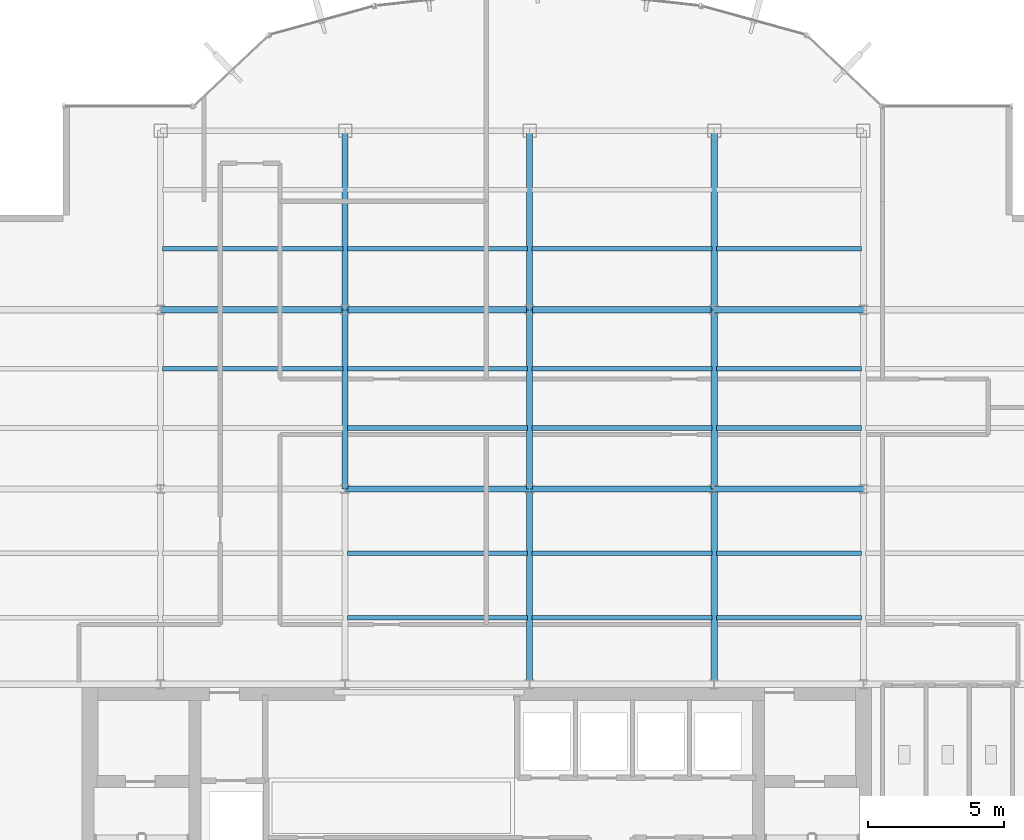
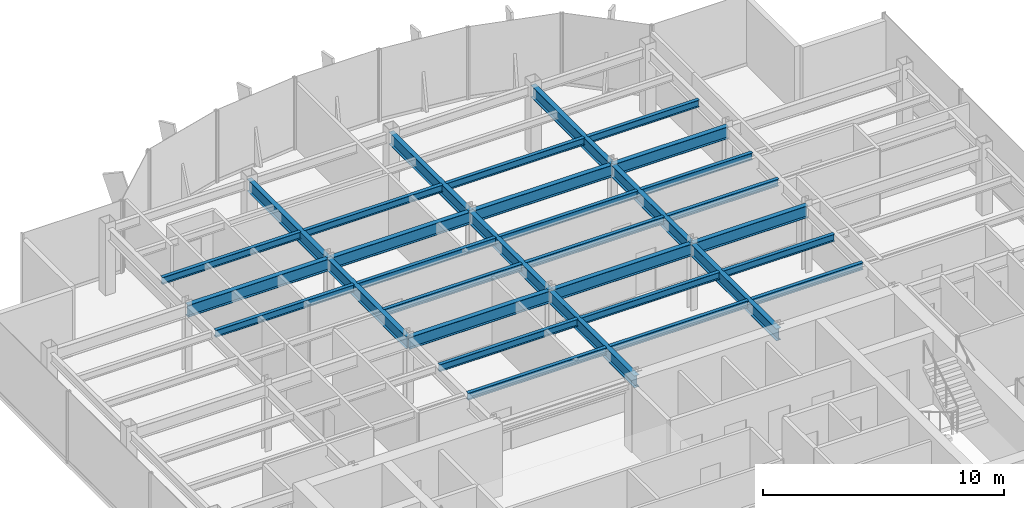
# One storey, part 8 of 22: 32 beams.
"""IFC4 building model written with IfcOpenShell, lengths in metres."""

import ifcopenshell
import ifcopenshell.guid

model = None  # the IFC model being written
_history = None  # IfcOwnerHistory: only IFC2X3 demands one
_inside = {}  # id of a spatial element -> (the spatial element, [elements in it])
_under = {}  # id of a project, library or spatial element -> (it, [spatial elements below it])
_declared = {}  # id of a project -> (the project, [libraries it declares])
_typed = {}  # id of a type object -> (the type object, [elements of that type])
_made_of = {}  # id of a material, layer set ... -> (it, [elements and type objects made of it])


def new_model(schema):
    """Start an empty IFC model of exactly this schema.

    Asked for "IFC4X3", IfcOpenShell would pick the latest addendum, in which some entities
    have other attributes; the version numbers below select the first issue.
    IFC2X3 requires an IfcOwnerHistory on every rooted entity: one is made here for all.
    """
    global model, _history
    if schema == "IFC4X3":
        model = ifcopenshell.file(schema_version=(4, 3, 0, 0))
    else:
        model = ifcopenshell.file(schema=schema)
    _inside.clear()
    _under.clear()
    _declared.clear()
    _typed.clear()
    _made_of.clear()
    _history = None
    if model.schema == "IFC2X3":
        org = make("IfcOrganization", Name="unknown")
        user = make(
            "IfcPersonAndOrganization",
            ThePerson=make("IfcPerson", FamilyName="unknown"),
            TheOrganization=org,
        )
        app = make(
            "IfcApplication",
            ApplicationDeveloper=org,
            Version="unknown",
            ApplicationFullName="unknown",
            ApplicationIdentifier="unknown",
        )
        _history = make(
            "IfcOwnerHistory",
            OwningUser=user,
            OwningApplication=app,
            ChangeAction="ADDED",
            CreationDate=0,
        )
    return model


def make(cls, **values):
    """One entity of the class cls with the attributes given. An attribute that is None is left unset."""
    return model.create_entity(
        cls, **{name: value for name, value in values.items() if value is not None}
    )


def rooted(cls, **values):
    """An entity with a GlobalId (a new one), such as an element, a storey or a relation."""
    return make(cls, GlobalId=ifcopenshell.guid.new(), OwnerHistory=_history, **values)


def si_unit(unit_type, name, prefix=None):
    """IfcSIUnit, for example si_unit("LENGTHUNIT", "METRE", prefix="MILLI")."""
    return make("IfcSIUnit", UnitType=unit_type, Prefix=prefix, Name=name)


def derived_unit(unit_type, elements):
    """IfcDerivedUnit: a product of units, each with its exponent."""
    return make(
        "IfcDerivedUnit",
        Elements=[
            make("IfcDerivedUnitElement", Unit=unit, Exponent=power)
            for unit, power in elements
        ],
        UnitType=unit_type,
    )


def assignment(units):
    """IfcUnitAssignment: the units of a project."""
    return None if units is None else make("IfcUnitAssignment", Units=units)


def point(xyz):
    """IfcCartesianPoint."""
    return None if xyz is None else make("IfcCartesianPoint", Coordinates=xyz)


def direction(xyz):
    """IfcDirection."""
    return None if xyz is None else make("IfcDirection", DirectionRatios=xyz)


def frame(location, z_axis=None, x_axis=None):
    """IfcAxis2Placement3D, a coordinate frame: its origin and axes. An axis left out is left unset."""
    return make(
        "IfcAxis2Placement3D",
        Location=point(location),
        Axis=direction(z_axis),
        RefDirection=direction(x_axis),
    )


def frame_2d(location, x_axis=None):
    """IfcAxis2Placement2D, a coordinate frame in the plane: its origin and x axis."""
    return make(
        "IfcAxis2Placement2D", Location=point(location), RefDirection=direction(x_axis)
    )


def origin():
    """The frame at (0, 0, 0) with its axes left unset."""
    return frame((0.0, 0.0, 0.0))


def origin_2d():
    """The frame at (0, 0) in the plane with its x axis left unset."""
    return frame_2d((0.0, 0.0))


def place(relative_to, where):
    """IfcLocalPlacement: puts the frame where relative to a parent placement (None: the world)."""
    return make(
        "IfcLocalPlacement", PlacementRelTo=relative_to, RelativePlacement=where
    )


def context(
    kind, dimensions, precision=None, world=None, true_north=None, identifier=None
):
    """IfcGeometricRepresentationContext, for example the 3D "Model" context."""
    return make(
        "IfcGeometricRepresentationContext",
        ContextIdentifier=identifier,
        ContextType=kind,
        CoordinateSpaceDimension=dimensions,
        Precision=precision,
        WorldCoordinateSystem=world,
        TrueNorth=true_north,
    )


def subcontext(parent, identifier, kind, view, scale=None):
    """IfcGeometricRepresentationSubContext, for example "Body" below "Model"."""
    return make(
        "IfcGeometricRepresentationSubContext",
        ContextIdentifier=identifier,
        ContextType=kind,
        ParentContext=parent,
        TargetScale=scale,
        TargetView=view,
    )


def project(units=None, contexts=None):
    """IfcProject with its units and contexts."""
    return rooted(
        "IfcProject",
        Name="project",
        RepresentationContexts=contexts,
        UnitsInContext=assignment(units),
    )


def spatial(cls, under=None, at=None, **own):
    """A site, building, storey or space (cls), placed at a placement, below another one or the project."""
    s = rooted(cls, ObjectPlacement=at, **own)
    if under is not None:
        _under.setdefault(under.id(), (under, []))[1].append(s)
    return s


def profile(cls, at=None, kind="AREA", **sizes):
    """A parametric profile (cls). Its sizes go by their IFC names, for example OverallWidth=200.0."""
    return make(cls, ProfileType=kind, Position=at, **sizes)


def i_section(**sizes):
    """IfcIShapeProfileDef."""
    return profile("IfcIShapeProfileDef", **sizes)


def extrude(swept, where, along, depth):
    """IfcExtrudedAreaSolid: the profile swept, set in the frame where, extruded along a direction by depth."""
    return make(
        "IfcExtrudedAreaSolid",
        SweptArea=swept,
        Position=where,
        ExtrudedDirection=direction(along),
        Depth=depth,
    )


def shape(context_of_items, identifier, shape_type, items):
    """IfcShapeRepresentation: the items that make up one representation, for example the "Body"."""
    return make(
        "IfcShapeRepresentation",
        ContextOfItems=context_of_items,
        RepresentationIdentifier=identifier,
        RepresentationType=shape_type,
        Items=items,
    )


def source(mapping_origin, context_of_items, identifier, shape_type, items):
    """IfcRepresentationMap: a shape defined once, which mapped items show again and again."""
    return make(
        "IfcRepresentationMap",
        MappingOrigin=mapping_origin,
        MappedRepresentation=shape(context_of_items, identifier, shape_type, items),
    )


def transform(
    local_origin,
    x_axis=None,
    y_axis=None,
    z_axis=None,
    scale=None,
    scale2=None,
    scale3=None,
    uniform=True,
):
    """IfcCartesianTransformationOperator3D, or its non-uniform kind. x_axis, y_axis, z_axis: its Axis1, 2, 3."""
    if uniform:
        return make(
            "IfcCartesianTransformationOperator3D",
            Axis1=direction(x_axis),
            Axis2=direction(y_axis),
            LocalOrigin=point(local_origin),
            Scale=scale,
            Axis3=direction(z_axis),
        )
    return make(
        "IfcCartesianTransformationOperator3DnonUniform",
        Axis1=direction(x_axis),
        Axis2=direction(y_axis),
        LocalOrigin=point(local_origin),
        Scale=scale,
        Axis3=direction(z_axis),
        Scale2=scale2,
        Scale3=scale3,
    )


def mapped(mapping_source, mapping_target):
    """IfcMappedItem: shows the shape of a source again, moved by a transform."""
    return make(
        "IfcMappedItem", MappingSource=mapping_source, MappingTarget=mapping_target
    )


def material(Name=None, Category=None):
    """IfcMaterial."""
    return make("IfcMaterial", Name=Name, Category=Category)


def material_profile(
    of_material, cross_section, Name=None, Category=None, Priority=None
):
    """IfcMaterialProfile: a cross section and its material."""
    return make(
        "IfcMaterialProfile",
        Name=Name,
        Material=of_material,
        Profile=cross_section,
        Priority=Priority,
        Category=Category,
    )


def profile_set(profiles, Name=None, composite=None):
    """IfcMaterialProfileSet."""
    return make(
        "IfcMaterialProfileSet",
        Name=Name,
        MaterialProfiles=profiles,
        CompositeProfile=composite,
    )


def made_of(thing, what):
    """Note that an element or type object is made of a material, layer set ...; save() writes the relation."""
    if what is not None:
        _made_of.setdefault(what.id(), (what, []))[1].append(thing)
    return thing


def type_object(cls, material=None, **own):
    """A type object (cls), such as IfcWallType, which elements share."""
    return made_of(rooted(cls, **own), material)


def element(
    cls,
    number,
    at=None,
    inside=None,
    cuts=None,
    type_object=None,
    material=None,
    context=None,
    identifier="Body",
    shape_type=None,
    held_by="IfcProductDefinitionShape",
    body=None,
    shapes=None,
    **own,
):
    """One element of the class cls, such as IfcWall. Its Tag is "e" and its number.

    at: its placement. inside: the storey or other place that contains it. cuts: it is an
    opening in that element (IfcRelVoidsElement). A single representation is given by context,
    identifier, shape_type and body (its items); several are given by shapes. held_by: the class
    of the entity that holds the representations. save() writes the other relations.
    """
    e = rooted(cls, Tag="e%d" % number, ObjectPlacement=at, **own)
    if body is not None:
        shapes = [shape(context, identifier, shape_type, body)]
    if shapes is not None:
        e.Representation = make(held_by, Representations=shapes)
    if inside is not None:
        _inside.setdefault(inside.id(), (inside, []))[1].append(e)
    if cuts is not None:
        rooted(
            "IfcRelVoidsElement", RelatingBuildingElement=cuts, RelatedOpeningElement=e
        )
    if type_object is not None:
        _typed.setdefault(type_object.id(), (type_object, []))[1].append(e)
    return made_of(e, material)


def aggregate(whole, parts):
    """IfcRelAggregates: a whole, such as a stair, and the parts it consists of."""
    return rooted("IfcRelAggregates", RelatingObject=whole, RelatedObjects=parts)


def save(model, path):
    """Write the relations noted so far, then the file.

    IfcRelAggregates (storeys below a building ...), IfcRelContainedInSpatialStructure (elements
    in a storey), IfcRelDefinesByType, IfcRelAssociatesMaterial and IfcRelDeclares: one each for
    every whole, place, type object, material and project.
    """
    for whole, parts in _under.values():
        aggregate(whole, parts)
    for where, things in _inside.values():
        rooted(
            "IfcRelContainedInSpatialStructure",
            RelatedElements=things,
            RelatingStructure=where,
        )
    for kind, things in _typed.values():
        rooted("IfcRelDefinesByType", RelatedObjects=things, RelatingType=kind)
    for what, things in _made_of.values():
        rooted("IfcRelAssociatesMaterial", RelatedObjects=things, RelatingMaterial=what)
    for by, libraries in _declared.values():
        rooted("IfcRelDeclares", RelatingContext=by, RelatedDefinitions=libraries)
    model.write(path)


model = new_model("IFC4")

# Units and contexts
model_context = context("Model", 3, precision=1e-05, world=origin(), true_north=direction((0.0, 1.0)))
body_context = subcontext(model_context, "Body", "Model", "MODEL_VIEW")
ifc_project = project(units=[si_unit("LENGTHUNIT", "METRE"), si_unit("AREAUNIT", "SQUARE_METRE"), si_unit("VOLUMEUNIT", "CUBIC_METRE"), si_unit("PLANEANGLEUNIT", "RADIAN"), si_unit("MASSUNIT", "GRAM", prefix="KILO"), derived_unit("THERMALTRANSMITTANCEUNIT", [(si_unit("POWERUNIT", "WATT"), 1), (si_unit("LENGTHUNIT", "METRE"), -2), (si_unit("THERMODYNAMICTEMPERATUREUNIT", "KELVIN"), -1)])], contexts=[model_context])

# Site, building, storey
site_placement = place(None, origin())
site = spatial("IfcSite", under=ifc_project, at=site_placement, CompositionType="ELEMENT")
building_placement = place(site_placement, origin())
building = spatial("IfcBuilding", under=site, at=building_placement, Name="Skarnbrae Concourse Arena and Tower", CompositionType="ELEMENT")
storey_placement = place(building_placement, frame((0.0, 0.0, 232.39990234375)))
storey = spatial("IfcBuildingStorey", under=building, at=storey_placement, Name="L60", CompositionType="ELEMENT", Elevation=232.39990234375)

# Beams
ifc_material = material(Name="Steel CSA G40.21 350W", Category="steel")
ifc_material_profile_1 = material_profile(ifc_material, i_section(OverallWidth=0.22802734375, OverallDepth=0.60791015625, WebThickness=0.01123046875, FlangeThickness=0.017333984375, at=origin_2d()), Name="W610X113")
ifc_profile_set_1 = profile_set([ifc_material_profile_1], Name="Steel CSA G40.21 350W")
beam_type_1 = type_object("IfcBeamType", Name="BM-GIRD-W610X113", PredefinedType="BEAM", material=ifc_profile_set_1)
shared_shape_1 = source(origin(), body_context, "Body", "SweptSolid", [
    extrude(i_section(OverallWidth=0.22802734375, OverallDepth=0.60791015625, WebThickness=0.01123046875, FlangeThickness=0.017333984375, at=origin_2d()), origin(), (0.0, 0.0, 1.0), 6.60009765625),
])
for number, where, z_axis, x_axis, name in (
    (1, (14.39990234375, 21.199951171875, 3.046142578125), (0.0, 1.0, 0.0), (-1.0, 0.0, 0.0), "L60 Primary N-S girder X14.4-2"),
    (2, (21.199951171875, 21.199951171875, 3.046142578125), (0.0, 1.0, 0.0), (-1.0, 0.0, 0.0), "L60 Primary N-S girder X21.2-2"),
    (3, (28.0, 21.199951171875, 3.046142578125), (0.0, 1.0, 0.0), (-1.0, 0.0, 0.0), "L60 Primary N-S girder X28.0-2"),
):
    element("IfcBeam", number, at=place(storey_placement, frame(where, z_axis=z_axis, x_axis=x_axis)), inside=storey, type_object=beam_type_1, Name=name, PredefinedType="BEAM", context=body_context, shape_type="MappedRepresentation", body=[
        mapped(shared_shape_1, transform((0.0, 0.0, 0.0))),
    ])
shared_shape_2 = source(origin(), body_context, "Body", "SweptSolid", [
    extrude(i_section(OverallWidth=0.22802734375, OverallDepth=0.60791015625, WebThickness=0.01123046875, FlangeThickness=0.017333984375, at=origin_2d()), origin(), (0.0, 0.0, 1.0), 6.7998046875),
])
beam_placement = place(storey_placement, frame((7.60009765625, 27.800048828125, 3.046142578125), z_axis=(1.0, 0.0, 0.0), x_axis=(0.0, 1.0, 0.0)))
element("IfcBeam", 4, at=beam_placement, inside=storey, type_object=beam_type_1, Name="L60 Primary E-W girder Y27.8-2", PredefinedType="BEAM", context=body_context, shape_type="MappedRepresentation", body=[
    mapped(shared_shape_2, transform((0.0, 0.0, 0.0))),
])
shared_shape_3 = source(origin(), body_context, "Body", "SweptSolid", [
    extrude(i_section(OverallWidth=0.22802734375, OverallDepth=0.60791015625, WebThickness=0.01123046875, FlangeThickness=0.017333984375, at=origin_2d()), origin(), (0.0, 0.0, 1.0), 6.800048828125),
])
for number, where, z_axis, x_axis, name in (
    (5, (14.39990234375, 21.199951171875, 3.046142578125), (1.0, 0.0, 0.0), (0.0, 1.0, 0.0), "L60 Primary E-W girder Y21.2-3"),
    (6, (21.199951171875, 21.199951171875, 3.046142578125), (1.0, 0.0, 0.0), (0.0, 1.0, 0.0), "L60 Primary E-W girder Y21.2-4"),
    (7, (14.39990234375, 27.800048828125, 3.046142578125), (1.0, 0.0, 0.0), (0.0, 1.0, 0.0), "L60 Primary E-W girder Y27.8-3"),
    (8, (21.199951171875, 27.800048828125, 3.046142578125), (1.0, 0.0, 0.0), (0.0, 1.0, 0.0), "L60 Primary E-W girder Y27.8-4"),
):
    element("IfcBeam", number, at=place(storey_placement, frame(where, z_axis=z_axis, x_axis=x_axis)), inside=storey, type_object=beam_type_1, Name=name, PredefinedType="BEAM", context=body_context, shape_type="MappedRepresentation", body=[
        mapped(shared_shape_3, transform((0.0, 0.0, 0.0))),
    ])
shared_shape_4 = source(origin(), body_context, "Body", "SweptSolid", [
    extrude(i_section(OverallWidth=0.22802734375, OverallDepth=0.60791015625, WebThickness=0.01123046875, FlangeThickness=0.017333984375, at=origin_2d()), origin(), (0.0, 0.0, 1.0), 5.5),
])
for number, where, z_axis, x_axis, name in (
    (9, (28.0, 21.199951171875, 3.046142578125), (1.0, 0.0, 0.0), (0.0, 1.0, 0.0), "L60 Primary E-W girder Y21.2-5"),
    (10, (28.0, 27.800048828125, 3.046142578125), (1.0, 0.0, 0.0), (0.0, 1.0, 0.0), "L60 Primary E-W girder Y27.8-5"),
):
    element("IfcBeam", number, at=place(storey_placement, frame(where, z_axis=z_axis, x_axis=x_axis)), inside=storey, type_object=beam_type_1, Name=name, PredefinedType="BEAM", context=body_context, shape_type="MappedRepresentation", body=[
        mapped(shared_shape_4, transform((0.0, 0.0, 0.0))),
    ])
shared_shape_5 = source(origin(), body_context, "Body", "SweptSolid", [
    extrude(i_section(OverallWidth=0.22802734375, OverallDepth=0.60791015625, WebThickness=0.01123046875, FlangeThickness=0.017333984375, at=origin_2d()), origin(), (0.0, 0.0, 1.0), 7.199951171875),
])
for number, where, z_axis, x_axis, name in (
    (11, (21.199951171875, 14.0, 3.046142578125), (0.0, 1.0, 0.0), (-1.0, 0.0, 0.0), "L60 Primary N-S girder X21.2-1"),
    (12, (28.0, 14.0, 3.046142578125), (0.0, 1.0, 0.0), (-1.0, 0.0, 0.0), "L60 Primary N-S girder X28.0-1"),
):
    element("IfcBeam", number, at=place(storey_placement, frame(where, z_axis=z_axis, x_axis=x_axis)), inside=storey, type_object=beam_type_1, Name=name, PredefinedType="BEAM", context=body_context, shape_type="MappedRepresentation", body=[
        mapped(shared_shape_5, transform((0.0, 0.0, 0.0))),
    ])
shared_shape_6 = source(origin(), body_context, "Body", "SweptSolid", [
    extrude(i_section(OverallWidth=0.22802734375, OverallDepth=0.60791015625, WebThickness=0.01123046875, FlangeThickness=0.017333984375, at=origin_2d()), origin(), (0.0, 0.0, 1.0), 6.599853515625),
])
for number, where, z_axis, x_axis, name in (
    (13, (14.39990234375, 27.800048828125, 3.046142578125), (0.0, 1.0, 0.0), (-1.0, 0.0, 0.0), "L60 Primary N-S girder X14.4-3"),
    (14, (21.199951171875, 27.800048828125, 3.046142578125), (0.0, 1.0, 0.0), (-1.0, 0.0, 0.0), "L60 Primary N-S girder X21.2-3"),
    (15, (28.0, 27.800048828125, 3.046142578125), (0.0, 1.0, 0.0), (-1.0, 0.0, 0.0), "L60 Primary N-S girder X28.0-3"),
):
    element("IfcBeam", number, at=place(storey_placement, frame(where, z_axis=z_axis, x_axis=x_axis)), inside=storey, type_object=beam_type_1, Name=name, PredefinedType="BEAM", context=body_context, shape_type="MappedRepresentation", body=[
        mapped(shared_shape_6, transform((0.0, 0.0, 0.0))),
    ])
ifc_material_profile_2 = material_profile(ifc_material, i_section(OverallWidth=0.1708984375, OverallDepth=0.35498046875, WebThickness=0.007080078125, FlangeThickness=0.01171875, at=origin_2d()), Name="W360X51")
ifc_profile_set_2 = profile_set([ifc_material_profile_2], Name="Steel CSA G40.21 350W")
beam_type_2 = type_object("IfcBeamType", Name="BM-JOIST-W360X51", PredefinedType="JOIST", material=ifc_profile_set_2)
shared_shape_7 = source(origin(), body_context, "Body", "SweptSolid", [
    extrude(i_section(OverallWidth=0.1708984375, OverallDepth=0.35498046875, WebThickness=0.007080078125, FlangeThickness=0.01171875, at=origin_2d()), origin(), (0.0, 0.0, 1.0), 6.64013671875),
])
for number, where, z_axis, x_axis, name in (
    (16, (14.47998046875, 16.447998046875, 3.172607421875), (1.0, 0.0, 0.0), (0.0, 1.0, 0.0), "L60 Secondary floor joist 1.1.3"),
    (17, (14.47998046875, 18.823974609375, 3.172607421875), (1.0, 0.0, 0.0), (0.0, 1.0, 0.0), "L60 Secondary floor joist 1.2.3"),
    (18, (14.47998046875, 23.444091796875, 3.172607421875), (1.0, 0.0, 0.0), (0.0, 1.0, 0.0), "L60 Secondary floor joist 2.1.3"),
    (19, (7.679931640625, 25.6220703125, 3.172607421875), (1.0, 0.0, 0.0), (0.0, 1.0, 0.0), "L60 Secondary floor joist 2.2.2"),
    (20, (14.47998046875, 25.6220703125, 3.172607421875), (1.0, 0.0, 0.0), (0.0, 1.0, 0.0), "L60 Secondary floor joist 2.2.3"),
    (21, (7.679931640625, 30.0439453125, 3.172607421875), (1.0, 0.0, 0.0), (0.0, 1.0, 0.0), "L60 Secondary floor joist 3.1.1"),
    (22, (14.47998046875, 30.0439453125, 3.172607421875), (1.0, 0.0, 0.0), (0.0, 1.0, 0.0), "L60 Secondary floor joist 3.1.2"),
):
    element("IfcBeam", number, at=place(storey_placement, frame(where, z_axis=z_axis, x_axis=x_axis)), inside=storey, type_object=beam_type_2, Name=name, PredefinedType="JOIST", context=body_context, shape_type="MappedRepresentation", body=[
        mapped(shared_shape_7, transform((0.0, 0.0, 0.0))),
    ])
shared_shape_8 = source(origin(), body_context, "Body", "SweptSolid", [
    extrude(i_section(OverallWidth=0.1708984375, OverallDepth=0.35498046875, WebThickness=0.007080078125, FlangeThickness=0.01171875, at=origin_2d()), origin(), (0.0, 0.0, 1.0), 6.639892578125),
])
for number, where, z_axis, x_axis, name in (
    (23, (21.280029296875, 16.447998046875, 3.172607421875), (1.0, 0.0, 0.0), (0.0, 1.0, 0.0), "L60 Secondary floor joist 1.1.4"),
    (24, (21.280029296875, 18.823974609375, 3.172607421875), (1.0, 0.0, 0.0), (0.0, 1.0, 0.0), "L60 Secondary floor joist 1.2.4"),
    (25, (21.280029296875, 23.444091796875, 3.172607421875), (1.0, 0.0, 0.0), (0.0, 1.0, 0.0), "L60 Secondary floor joist 2.1.4"),
    (26, (21.280029296875, 25.6220703125, 3.172607421875), (1.0, 0.0, 0.0), (0.0, 1.0, 0.0), "L60 Secondary floor joist 2.2.4"),
    (27, (21.280029296875, 30.0439453125, 3.172607421875), (1.0, 0.0, 0.0), (0.0, 1.0, 0.0), "L60 Secondary floor joist 3.1.3"),
):
    element("IfcBeam", number, at=place(storey_placement, frame(where, z_axis=z_axis, x_axis=x_axis)), inside=storey, type_object=beam_type_2, Name=name, PredefinedType="JOIST", context=body_context, shape_type="MappedRepresentation", body=[
        mapped(shared_shape_8, transform((0.0, 0.0, 0.0))),
    ])
shared_shape_9 = source(origin(), body_context, "Body", "SweptSolid", [
    extrude(i_section(OverallWidth=0.1708984375, OverallDepth=0.35498046875, WebThickness=0.007080078125, FlangeThickness=0.01171875, at=origin_2d()), origin(), (0.0, 0.0, 1.0), 5.33984375),
])
for number, where, z_axis, x_axis, name in (
    (28, (28.080078125, 16.447998046875, 3.172607421875), (1.0, 0.0, 0.0), (0.0, 1.0, 0.0), "L60 Secondary floor joist 1.1.5"),
    (29, (28.080078125, 18.823974609375, 3.172607421875), (1.0, 0.0, 0.0), (0.0, 1.0, 0.0), "L60 Secondary floor joist 1.2.5"),
    (30, (28.080078125, 23.444091796875, 3.172607421875), (1.0, 0.0, 0.0), (0.0, 1.0, 0.0), "L60 Secondary floor joist 2.1.5"),
    (31, (28.080078125, 25.6220703125, 3.172607421875), (1.0, 0.0, 0.0), (0.0, 1.0, 0.0), "L60 Secondary floor joist 2.2.5"),
    (32, (28.080078125, 30.0439453125, 3.172607421875), (1.0, 0.0, 0.0), (0.0, 1.0, 0.0), "L60 Secondary floor joist 3.1.4"),
):
    element("IfcBeam", number, at=place(storey_placement, frame(where, z_axis=z_axis, x_axis=x_axis)), inside=storey, type_object=beam_type_2, Name=name, PredefinedType="JOIST", context=body_context, shape_type="MappedRepresentation", body=[
        mapped(shared_shape_9, transform((0.0, 0.0, 0.0))),
    ])

save(model, "model.ifc")
